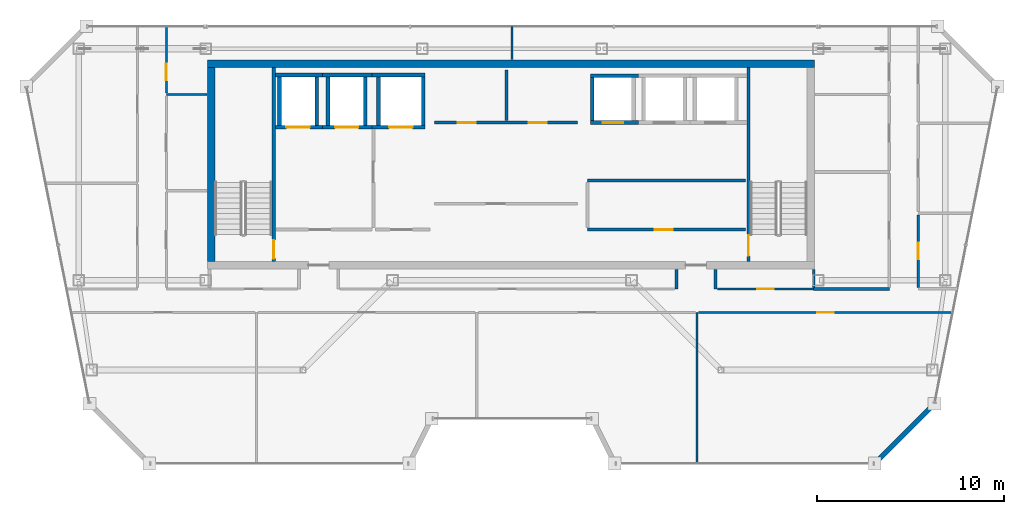
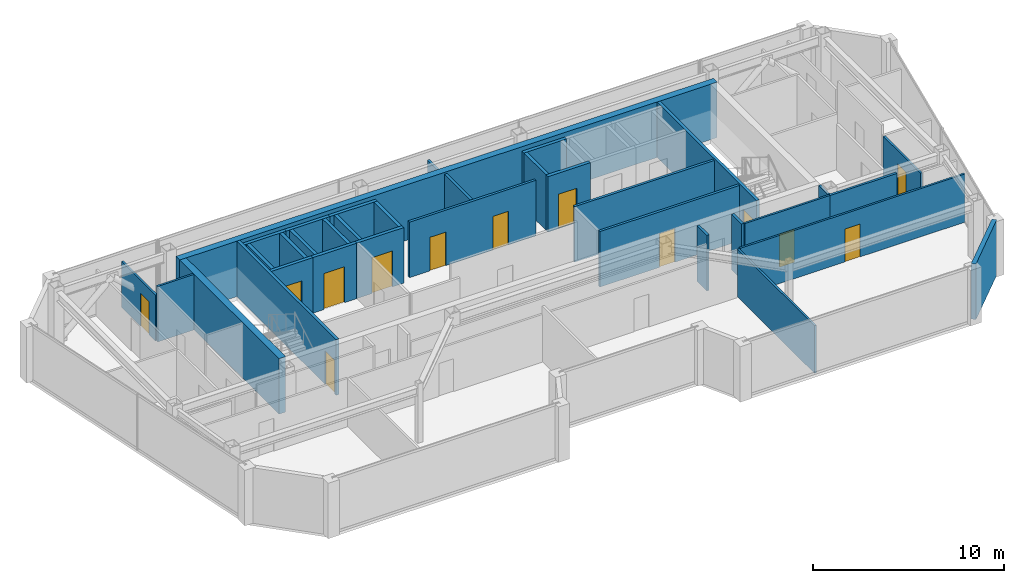
# One storey, part 19 of 23: 35 walls, 13 doors, 13 openings.
"""IFC4 building model written with IfcOpenShell, lengths in metres."""

from ifc_helpers import new_model, si_unit, direction, frame, frame_2d, origin, place, context, subcontext, project, spatial, rectangle, extrude, material, layer, layer_set, type_object, element, fill, save


model = new_model("IFC4")

# Units and contexts
model_context = context("Model", 3, precision=1e-05, world=origin(), true_north=direction((0.0, 1.0)))
body_context = subcontext(model_context, "Body", "Model", "MODEL_VIEW")
ifc_project = project(units=[si_unit("LENGTHUNIT", "METRE"), si_unit("AREAUNIT", "SQUARE_METRE"), si_unit("VOLUMEUNIT", "CUBIC_METRE"), si_unit("PLANEANGLEUNIT", "RADIAN"), si_unit("MASSUNIT", "GRAM", prefix="KILO")], contexts=[model_context])

# Site, building, storey
site_placement = place(None, origin())
site = spatial("IfcSite", under=ifc_project, at=site_placement, CompositionType="ELEMENT")
building_placement = place(site_placement, origin())
building = spatial("IfcBuilding", under=site, at=building_placement, Name="Saevonmaru Cultural Tower", CompositionType="ELEMENT")
storey_placement = place(building_placement, frame((0.0, 0.0, 302.800048828125)))
storey = spatial("IfcBuildingStorey", under=building, at=storey_placement, Name="L72", CompositionType="ELEMENT", Elevation=302.800048828125)

# Walls
ifc_material_1 = material(Name="Concrete C50/60", Category="concrete")
ifc_layer_1 = layer(ifc_material_1, 0.39990234375, Name="Concrete C50/60")
ifc_layer_set_1 = layer_set([ifc_layer_1], Name="Concrete C50/60")
wall_type_1 = type_object("IfcWallType", Name="WL-CORE-400", PredefinedType="SHEAR", material=ifc_layer_set_1)
wall_1_placement = place(storey_placement, frame((13.699951171875, 54.0, 0.0), z_axis=(0.0, 0.0, 1.0), x_axis=(1.0, 0.0, 0.0)))
element("IfcWall", 1, at=wall_1_placement, inside=storey, type_object=wall_type_1, Name="L72 Tower RC core shear wall N", PredefinedType="SHEAR", context=body_context, shape_type="SweptSolid", body=[
    extrude(rectangle(XDim=32.5, YDim=0.39990234375, at=frame_2d((16.25, 0.0))), origin(), (0.0, 0.0, 1.0), 3.550048828125),
])
wall_2_placement = place(storey_placement, frame((13.89990234375, 43.39990234375, 0.0), z_axis=(0.0, 0.0, 1.0), x_axis=(0.0, 1.0, 0.0)))
element("IfcWall", 2, at=wall_2_placement, inside=storey, type_object=wall_type_1, Name="L72 Tower RC core shear wall W", PredefinedType="SHEAR", context=body_context, shape_type="SweptSolid", body=[
    extrude(rectangle(XDim=10.400146484375, YDim=0.39990234375, at=frame_2d((5.2001953125, 0.0))), origin(), (0.0, 0.0, 1.0), 3.550048828125),
])

# Wall, opening, door
ifc_material_2 = material(Name="Gypsum Fireboard Partition", Category="gypsum")
ifc_layer_2 = layer(ifc_material_2, 0.14990234375, Name="Gypsum Fireboard Partition")
ifc_layer_set_2 = layer_set([ifc_layer_2], Name="Gypsum Fireboard Partition")
wall_type_2 = type_object("IfcWallType", Name="WL-CORE-PART-150", PredefinedType="PARTITIONING", material=ifc_layer_set_2)
wall_3_placement = place(storey_placement, frame((34.050048828125, 45.1201171875, 0.0), z_axis=(0.0, 0.0, 1.0), x_axis=(1.0, 0.0, 0.0)))
wall_3 = element("IfcWall", 3, at=wall_3_placement, inside=storey, type_object=wall_type_2, Name="L72 Core Service South Wall", PredefinedType="PARTITIONING", context=body_context, shape_type="SweptSolid", body=[
    extrude(rectangle(XDim=8.449951171875, YDim=0.14990234375, at=frame_2d((4.22509765625, 0.0))), origin(), (0.0, 0.0, 1.0), 3.550048828125),
])
opening_1_placement = place(wall_3_placement, frame((3.60009765625, 0.0, 0.0)))
opening_1 = element("IfcOpeningElement", 4, at=opening_1_placement, cuts=wall_3, Name="Opening FD-4", PredefinedType="OPENING", context=body_context, shape_type="SweptSolid", body=[
    extrude(rectangle(XDim=0.949951171875, YDim=2.14990234375, at=frame_2d((0.47509765625, 1.074951171875))), frame((0.0, 0.0849609375, 0.0), z_axis=(0.0, -1.0, 0.0), x_axis=(1.0, 0.0, 0.0)), (0.0, 0.0, 1.0), 0.169921875),
])
ifc_material_3 = material(Name="Satin Bronze Anodised Aluminium", Category="aluminium")
door_type_1 = type_object("IfcDoorType", Name="DR-FD60-950", OperationType="SINGLE_SWING_LEFT", PredefinedType="DOOR", material=ifc_material_3)
door_1_placement = place(opening_1_placement, origin())
door_1 = element("IfcDoor", 5, at=door_1_placement, inside=storey, type_object=door_type_1, Name="L72 Telecom Riser Plant Door", OperationType="SINGLE_SWING_LEFT", OverallHeight=2.14990234375, OverallWidth=0.949951171875, PredefinedType="DOOR", context=body_context, shape_type="SweptSolid", body=[
    extrude(rectangle(XDim=0.949951171875, YDim=2.14990234375, at=frame_2d((0.47509765625, 1.074951171875))), frame((0.0, 0.02490234375, 0.0), z_axis=(0.0, -1.0, 0.0), x_axis=(1.0, 0.0, 0.0)), (0.0, 0.0, 1.0), 0.050048828125),
])
fill(opening_1, door_1)

# Wall
wall_4_placement = place(storey_placement, frame((34.050048828125, 47.75, 0.0), z_axis=(0.0, 0.0, 1.0), x_axis=(1.0, 0.0, 0.0)))
element("IfcWall", 6, at=wall_4_placement, inside=storey, type_object=wall_type_2, Name="L72 Core Service North Wall", PredefinedType="PARTITIONING", context=body_context, shape_type="SweptSolid", body=[
    extrude(rectangle(XDim=8.449951171875, YDim=0.14990234375, at=frame_2d((4.22509765625, 0.0))), origin(), (0.0, 0.0, 1.0), 3.550048828125),
])

# Wall, openings, doors
wall_5_placement = place(storey_placement, frame((25.85009765625, 50.85009765625, 0.0), z_axis=(0.0, 0.0, 1.0), x_axis=(1.0, 0.0, 0.0)))
wall_5 = element("IfcWall", 7, at=wall_5_placement, inside=storey, type_object=wall_type_2, Name="L72 Reclaimed Core Room South Wall", PredefinedType="PARTITIONING", context=body_context, shape_type="SweptSolid", body=[
    extrude(rectangle(XDim=7.64990234375, YDim=0.14990234375, at=frame_2d((3.824951171875, 0.0))), origin(), (0.0, 0.0, 1.0), 3.550048828125),
])
opening_2_placement = place(wall_5_placement, frame((1.25, 0.0, 0.0)))
opening_2 = element("IfcOpeningElement", 8, at=opening_2_placement, cuts=wall_5, Name="Opening FD-4", PredefinedType="OPENING", context=body_context, shape_type="SweptSolid", body=[
    extrude(rectangle(XDim=0.949951171875, YDim=2.14990234375, at=frame_2d((0.47509765625, 1.074951171875))), frame((0.0, 0.0849609375, 0.0), z_axis=(0.0, -1.0, 0.0), x_axis=(1.0, 0.0, 0.0)), (0.0, 0.0, 1.0), 0.169921875),
])
opening_3_placement = place(wall_5_placement, frame((5.050048828125, 0.0, 0.0)))
opening_3 = element("IfcOpeningElement", 9, at=opening_3_placement, cuts=wall_5, Name="Opening FD-4", PredefinedType="OPENING", context=body_context, shape_type="SweptSolid", body=[
    extrude(rectangle(XDim=0.949951171875, YDim=2.14990234375, at=frame_2d((0.47509765625, 1.074951171875))), frame((0.0, 0.0849609375, 0.0), z_axis=(0.0, -1.0, 0.0), x_axis=(1.0, 0.0, 0.0)), (0.0, 0.0, 1.0), 0.169921875),
])
door_2_placement = place(opening_2_placement, origin())
door_2 = element("IfcDoor", 10, at=door_2_placement, inside=storey, type_object=door_type_1, Name="L72 Reclaimed Archive Vault Door", OperationType="SINGLE_SWING_LEFT", OverallHeight=2.14990234375, OverallWidth=0.949951171875, PredefinedType="DOOR", context=body_context, shape_type="SweptSolid", body=[
    extrude(rectangle(XDim=0.949951171875, YDim=2.14990234375, at=frame_2d((0.47509765625, 1.074951171875))), frame((0.0, 0.02490234375, 0.0), z_axis=(0.0, -1.0, 0.0), x_axis=(1.0, 0.0, 0.0)), (0.0, 0.0, 1.0), 0.050048828125),
])
fill(opening_2, door_2)
door_3_placement = place(opening_3_placement, origin())
door_3 = element("IfcDoor", 11, at=door_3_placement, inside=storey, type_object=door_type_1, Name="L72 Reclaimed Conservation Storage Door", OperationType="SINGLE_SWING_LEFT", OverallHeight=2.14990234375, OverallWidth=0.949951171875, PredefinedType="DOOR", context=body_context, shape_type="SweptSolid", body=[
    extrude(rectangle(XDim=0.949951171875, YDim=2.14990234375, at=frame_2d((0.47509765625, 1.074951171875))), frame((0.0, 0.02490234375, 0.0), z_axis=(0.0, -1.0, 0.0), x_axis=(1.0, 0.0, 0.0)), (0.0, 0.0, 1.0), 0.050048828125),
])
fill(opening_3, door_3)

# Walls
wall_6_placement = place(storey_placement, frame((29.699951171875, 50.949951171875, 0.0), z_axis=(0.0, 0.0, 1.0), x_axis=(0.0, 1.0, 0.0)))
element("IfcWall", 12, at=wall_6_placement, inside=storey, type_object=wall_type_2, Name="L72 Reclaimed Vault Split", PredefinedType="PARTITIONING", context=body_context, shape_type="SweptSolid", body=[
    extrude(rectangle(XDim=2.699951171875, YDim=0.14990234375, at=frame_2d((1.35009765625, 0.0))), origin(), (0.0, 0.0, 1.0), 3.550048828125),
])
ifc_material_4 = material(Name="Granite-Clad Precast Concrete C40/50", Category="masonry")
ifc_layer_3 = layer(ifc_material_4, 0.260009765625, Name="Granite-Clad Precast Concrete C40/50")
ifc_layer_set_3 = layer_set([ifc_layer_3], Name="Granite-Clad Precast Concrete C40/50")
wall_type_3 = type_object("IfcWallType", Name="WL-EXT-SPANDREL-260", PredefinedType="STANDARD", material=ifc_layer_set_3)
wall_7_placement = place(storey_placement, frame((49.533203125, 32.713134765625, 0.0), z_axis=(0.0, 0.0, 1.0), x_axis=(0.70707775441, 0.707135806771, 0.0)))
element("IfcWall", 13, at=wall_7_placement, inside=storey, type_object=wall_type_3, Name="L72 Chamfer Corner Spandrel Wall E7", PredefinedType="STANDARD", context=body_context, shape_type="SweptSolid", body=[
    extrude(rectangle(XDim=4.20556640625, YDim=0.260009765625, at=frame_2d((2.102783203125, 0.0))), origin(), (0.0, 0.0, 1.0), 3.550048828125),
])
ifc_layer_4 = layer(ifc_material_2, 0.14990234375, Name="Gypsum Fireboard Partition")
ifc_layer_set_4 = layer_set([ifc_layer_4], Name="Gypsum Fireboard Partition")
wall_type_4 = type_object("IfcWallType", Name="WL-PART-FIRE-150", PredefinedType="PARTITIONING", material=ifc_layer_set_4)
for number, where, z_axis, x_axis, name in (
    (14, (38.800048828125, 41.93994140625, 0.0), (0.0, 0.0, 1.0), (0.0, 1.0, 0.0), "L72 Core Portal Side Wall E1"),
    (15, (40.89990234375, 41.93994140625, 0.0), (0.0, 0.0, 1.0), (0.0, 1.0, 0.0), "L72 Core Portal Side Wall E2"),
):
    element("IfcWall", number, at=place(storey_placement, frame(where, z_axis=z_axis, x_axis=x_axis)), inside=storey, type_object=wall_type_4, Name=name, PredefinedType="PARTITIONING", context=body_context, shape_type="SweptSolid", body=[
        extrude(rectangle(XDim=1.0400390625, YDim=0.14990234375, at=frame_2d((0.52001953125, 0.0))), origin(), (0.0, 0.0, 1.0), 3.550048828125),
    ])
ifc_layer_5 = layer(ifc_material_2, 0.1201171875, Name="Gypsum Fireboard Partition")
ifc_layer_set_5 = layer_set([ifc_layer_5], Name="Gypsum Fireboard Partition")
wall_type_5 = type_object("IfcWallType", Name="WL-PART-GYP-120", PredefinedType="PARTITIONING", material=ifc_layer_set_5)
wall_8_placement = place(storey_placement, frame((11.5, 52.35009765625, 0.0), z_axis=(0.0, 0.0, 1.0), x_axis=(1.0, 0.0, 0.0)))
element("IfcWall", 16, at=wall_8_placement, inside=storey, type_object=wall_type_5, Name="L72 North-West Panorama South Wall", PredefinedType="PARTITIONING", context=body_context, shape_type="SweptSolid", body=[
    extrude(rectangle(XDim=2.179931640625, YDim=0.1201171875, at=frame_2d((1.08984375, 0.0))), origin(), (0.0, 0.0, 1.0), 3.550048828125),
])
wall_9_placement = place(storey_placement, frame((30.0, 54.219970703125, 0.0), z_axis=(0.0, 0.0, 1.0), x_axis=(0.0, 1.0, 0.0)))
element("IfcWall", 17, at=wall_9_placement, inside=storey, type_object=wall_type_5, Name="L72 North Panorama Center Split", PredefinedType="PARTITIONING", context=body_context, shape_type="SweptSolid", body=[
    extrude(rectangle(XDim=1.775146484375, YDim=0.1201171875, at=frame_2d((0.8876953125, 0.0))), origin(), (0.0, 0.0, 1.0), 2.93505859375),
])

# Wall, opening, door
wall_10_placement = place(storey_placement, frame((11.5, 52.429931640625, 0.0), z_axis=(0.0, 0.0, 1.0), x_axis=(0.0, 1.0, 0.0)))
wall_10 = element("IfcWall", 18, at=wall_10_placement, inside=storey, type_object=wall_type_5, Name="L72 Literature Seminar Meeting Room Corridor Wall", PredefinedType="PARTITIONING", context=body_context, shape_type="SweptSolid", body=[
    extrude(rectangle(XDim=3.565185546875, YDim=0.1201171875, at=frame_2d((1.78271484375, 0.0))), origin(), (0.0, 0.0, 1.0), 2.93505859375),
])
opening_4_placement = place(wall_10_placement, frame((0.672119140625, 0.0, 0.0)))
opening_4 = element("IfcOpeningElement", 19, at=opening_4_placement, cuts=wall_10, Name="Opening ID-2", PredefinedType="OPENING", context=body_context, shape_type="SweptSolid", body=[
    extrude(rectangle(XDim=0.89990234375, YDim=2.10009765625, at=frame_2d((0.449951171875, 1.050048828125))), frame((0.0, 0.070068359375, 0.0), z_axis=(0.0, -1.0, 0.0), x_axis=(1.0, 0.0, 0.0)), (0.0, 0.0, 1.0), 0.14013671875),
])
ifc_material_5 = material(Name="Acoustic Stained Oak Timber", Category="wood")
door_type_2 = type_object("IfcDoorType", Name="DR-INT-900", OperationType="SINGLE_SWING_RIGHT", PredefinedType="DOOR", material=ifc_material_5)
door_4_placement = place(opening_4_placement, origin())
door_4 = element("IfcDoor", 20, at=door_4_placement, inside=storey, type_object=door_type_2, Name="L72 Literature Seminar Meeting Room Door", OperationType="SINGLE_SWING_LEFT", OverallHeight=2.10009765625, OverallWidth=0.89990234375, PredefinedType="DOOR", context=body_context, shape_type="SweptSolid", body=[
    extrude(rectangle(XDim=0.89990234375, YDim=2.10009765625, at=frame_2d((0.449951171875, 1.050048828125))), frame((0.0, 0.02490234375, 0.0), z_axis=(0.0, -1.0, 0.0), x_axis=(1.0, 0.0, 0.0)), (0.0, 0.0, 1.0), 0.050048828125),
])
fill(opening_4, door_4)

wall_11_placement = place(storey_placement, frame((51.75, 42.027587890625, 0.0), z_axis=(0.0, 0.0, 1.0), x_axis=(0.0, 1.0, 0.0)))
wall_11 = element("IfcWall", 21, at=wall_11_placement, inside=storey, type_object=wall_type_5, Name="L72 Urban Design Meeting Room Corridor Wall", PredefinedType="PARTITIONING", context=body_context, shape_type="SweptSolid", body=[
    extrude(rectangle(XDim=3.885009765625, YDim=0.1201171875, at=frame_2d((1.9423828125, 0.0))), origin(), (0.0, 0.0, 1.0), 2.947021484375),
])
opening_5_placement = place(wall_11_placement, frame((1.491943359375, 0.0, 0.0)))
opening_5 = element("IfcOpeningElement", 22, at=opening_5_placement, cuts=wall_11, Name="Opening ID-2", PredefinedType="OPENING", context=body_context, shape_type="SweptSolid", body=[
    extrude(rectangle(XDim=0.89990234375, YDim=2.10009765625, at=frame_2d((0.449951171875, 1.050048828125))), frame((0.0, 0.070068359375, 0.0), z_axis=(0.0, -1.0, 0.0), x_axis=(1.0, 0.0, 0.0)), (0.0, 0.0, 1.0), 0.14013671875),
])
door_5_placement = place(opening_5_placement, origin())
door_5 = element("IfcDoor", 23, at=door_5_placement, inside=storey, type_object=door_type_2, Name="L72 Urban Design Meeting Room Door", OperationType="SINGLE_SWING_RIGHT", OverallHeight=2.10009765625, OverallWidth=0.89990234375, PredefinedType="DOOR", context=body_context, shape_type="SweptSolid", body=[
    extrude(rectangle(XDim=0.89990234375, YDim=2.10009765625, at=frame_2d((0.449951171875, 1.050048828125))), frame((0.0, 0.02490234375, 0.0), z_axis=(0.0, -1.0, 0.0), x_axis=(1.0, 0.0, 0.0)), (0.0, 0.0, 1.0), 0.050048828125),
])
fill(opening_5, door_5)

wall_12_placement = place(storey_placement, frame((40.9951171875, 41.93994140625, 0.0), z_axis=(0.0, 0.0, 1.0), x_axis=(1.0, 0.0, 0.0)))
wall_12 = element("IfcWall", 24, at=wall_12_placement, inside=storey, type_object=wall_type_5, Name="L72 Literature Seminar Meeting Room Corridor Wall", PredefinedType="PARTITIONING", context=body_context, shape_type="SweptSolid", body=[
    extrude(rectangle(XDim=5.15478515625, YDim=0.1201171875, at=frame_2d((2.577392578125, 0.0))), origin(), (0.0, 0.0, 1.0), 3.550048828125),
])
opening_6_placement = place(wall_12_placement, frame((2.1279296875, 0.0, 0.0)))
opening_6 = element("IfcOpeningElement", 25, at=opening_6_placement, cuts=wall_12, Name="Opening ID-2", PredefinedType="OPENING", context=body_context, shape_type="SweptSolid", body=[
    extrude(rectangle(XDim=0.89990234375, YDim=2.10009765625, at=frame_2d((0.449951171875, 1.050048828125))), frame((0.0, 0.070068359375, 0.0), z_axis=(0.0, -1.0, 0.0), x_axis=(1.0, 0.0, 0.0)), (0.0, 0.0, 1.0), 0.14013671875),
])
door_6_placement = place(opening_6_placement, origin())
door_6 = element("IfcDoor", 26, at=door_6_placement, inside=storey, type_object=door_type_2, Name="L72 Literature Seminar Meeting Room Door", OperationType="SINGLE_SWING_LEFT", OverallHeight=2.10009765625, OverallWidth=0.89990234375, PredefinedType="DOOR", context=body_context, shape_type="SweptSolid", body=[
    extrude(rectangle(XDim=0.89990234375, YDim=2.10009765625, at=frame_2d((0.449951171875, 1.050048828125))), frame((0.0, 0.02490234375, 0.0), z_axis=(0.0, -1.0, 0.0), x_axis=(1.0, 0.0, 0.0)), (0.0, 0.0, 1.0), 0.050048828125),
])
fill(opening_6, door_6)

# Wall
wall_13_placement = place(storey_placement, frame((39.909912109375, 32.60498046875, 0.0), z_axis=(0.0, 0.0, 1.0), x_axis=(0.0, 1.0, 0.0)))
element("IfcWall", 27, at=wall_13_placement, inside=storey, type_object=wall_type_5, Name="L72 Observatory Bay Divider 3", PredefinedType="PARTITIONING", context=body_context, shape_type="SweptSolid", body=[
    extrude(rectangle(XDim=8.074951171875, YDim=0.1201171875, at=frame_2d((4.03759765625, 0.0))), origin(), (0.0, 0.0, 1.0), 3.046875),
])

# Wall, opening, door
wall_14_placement = place(storey_placement, frame((39.989990234375, 40.679931640625, 0.0), z_axis=(0.0, 0.0, 1.0), x_axis=(1.0, 0.0, 0.0)))
wall_14 = element("IfcWall", 28, at=wall_14_placement, inside=storey, type_object=wall_type_5, Name="L72 Urban Design Meeting Room Corridor Wall", PredefinedType="PARTITIONING", context=body_context, shape_type="SweptSolid", body=[
    extrude(rectangle(XDim=13.59521484375, YDim=0.1201171875, at=frame_2d((6.797607421875, 0.0))), origin(), (0.0, 0.0, 1.0), 3.0849609375),
])
opening_7_placement = place(wall_14_placement, frame((6.347900390625, 0.0, 0.0)))
opening_7 = element("IfcOpeningElement", 29, at=opening_7_placement, cuts=wall_14, Name="Opening ID-2", PredefinedType="OPENING", context=body_context, shape_type="SweptSolid", body=[
    extrude(rectangle(XDim=0.89990234375, YDim=2.10009765625, at=frame_2d((0.449951171875, 1.050048828125))), frame((0.0, 0.070068359375, 0.0), z_axis=(0.0, -1.0, 0.0), x_axis=(1.0, 0.0, 0.0)), (0.0, 0.0, 1.0), 0.14013671875),
])
door_7_placement = place(opening_7_placement, origin())
door_7 = element("IfcDoor", 30, at=door_7_placement, inside=storey, type_object=door_type_2, Name="L72 Urban Design Meeting Room Door", OperationType="SINGLE_SWING_LEFT", OverallHeight=2.10009765625, OverallWidth=0.89990234375, PredefinedType="DOOR", context=body_context, shape_type="SweptSolid", body=[
    extrude(rectangle(XDim=0.89990234375, YDim=2.10009765625, at=frame_2d((0.449951171875, 1.050048828125))), frame((0.0, 0.02490234375, 0.0), z_axis=(0.0, -1.0, 0.0), x_axis=(1.0, 0.0, 0.0)), (0.0, 0.0, 1.0), 0.050048828125),
])
fill(opening_7, door_7)

# Walls
ifc_layer_6 = layer(ifc_material_2, 0.139892578125, Name="Gypsum Fireboard Partition")
ifc_layer_set_6 = layer_set([ifc_layer_6], Name="Gypsum Fireboard Partition")
wall_type_6 = type_object("IfcWallType", Name="WL-PART-WET-140", PredefinedType="PARTITIONING", material=ifc_layer_set_6)
wall_15_placement = place(storey_placement, frame((46.14990234375, 41.93994140625, 0.0), z_axis=(0.0, 0.0, 1.0), x_axis=(1.0, 0.0, 0.0)))
element("IfcWall", 31, at=wall_15_placement, inside=storey, type_object=wall_type_6, Name="L72 Washroom South Wall", PredefinedType="PARTITIONING", context=body_context, shape_type="SweptSolid", body=[
    extrude(rectangle(XDim=4.050048828125, YDim=0.139892578125, at=frame_2d((2.02490234375, 0.0))), origin(), (0.0, 0.0, 1.0), 3.550048828125),
])
wall_16_placement = place(storey_placement, frame((46.14990234375, 42.030029296875, 0.0), z_axis=(0.0, 0.0, 1.0), x_axis=(0.0, 1.0, 0.0)))
element("IfcWall", 32, at=wall_16_placement, inside=storey, type_object=wall_type_6, Name="L72 Washroom South-West Return", PredefinedType="PARTITIONING", context=body_context, shape_type="SweptSolid", body=[
    extrude(rectangle(XDim=0.949951171875, YDim=0.139892578125, at=frame_2d((0.47509765625, 0.0))), origin(), (0.0, 0.0, 1.0), 3.550048828125),
])

# Wall, opening, door
ifc_material_6 = material(Name="Concrete C40/50", Category="concrete")
ifc_layer_7 = layer(ifc_material_6, 0.199951171875, Name="Concrete C40/50")
ifc_layer_set_7 = layer_set([ifc_layer_7], Name="Concrete C40/50")
wall_type_7 = type_object("IfcWallType", Name="WL-SHAFT-200", PredefinedType="SHEAR", material=ifc_layer_set_7)
wall_17_placement = place(storey_placement, frame((17.330078125, 50.60009765625, 0.0), z_axis=(0.0, 0.0, 1.0), x_axis=(1.0, 0.0, 0.0)))
wall_17 = element("IfcWall", 33, at=wall_17_placement, inside=storey, type_object=wall_type_7, Name="L72 Lift FFL-1 Hoistway Wall S", PredefinedType="SHEAR", context=body_context, shape_type="SweptSolid", body=[
    extrude(rectangle(XDim=2.52001953125, YDim=0.199951171875, at=frame_2d((1.260009765625, 0.0))), origin(), (0.0, 0.0, 1.0), 3.550048828125),
])
opening_8_placement = place(wall_17_placement, frame((0.594970703125, 0.0, 0.0)))
opening_8 = element("IfcOpeningElement", 34, at=opening_8_placement, cuts=wall_17, Name="Opening LD-2", PredefinedType="OPENING", context=body_context, shape_type="SweptSolid", body=[
    extrude(rectangle(XDim=1.25, YDim=2.300048828125, at=frame_2d((0.625, 1.14990234375))), frame((0.0, 0.10986328125, 0.0), z_axis=(0.0, -1.0, 0.0), x_axis=(1.0, 0.0, 0.0)), (0.0, 0.0, 1.0), 0.219970703125),
])
ifc_material_7 = material(Name="Stainless Steel 316", Category="steel")
door_type_3 = type_object("IfcDoorType", Name="DR-LIFT-1250", OperationType="SLIDING_TO_LEFT", PredefinedType="DOOR", material=ifc_material_7)
door_8_placement = place(opening_8_placement, origin())
door_8 = element("IfcDoor", 35, at=door_8_placement, inside=storey, type_object=door_type_3, Name="L72 Lift FFL-1 Sliding Landing Door", OperationType="SLIDING_TO_LEFT", OverallHeight=2.300048828125, OverallWidth=1.25, PredefinedType="DOOR", context=body_context, shape_type="SweptSolid", body=[
    extrude(rectangle(XDim=1.25, YDim=2.300048828125, at=frame_2d((0.625, 1.14990234375))), frame((0.0, 0.02490234375, 0.0), z_axis=(0.0, -1.0, 0.0), x_axis=(1.0, 0.0, 0.0)), (0.0, 0.0, 1.0), 0.050048828125),
])
fill(opening_8, door_8)

# Walls
wall_18_placement = place(storey_placement, frame((17.330078125, 53.39990234375, 0.0), z_axis=(0.0, 0.0, 1.0), x_axis=(1.0, 0.0, 0.0)))
element("IfcWall", 36, at=wall_18_placement, inside=storey, type_object=wall_type_7, Name="L72 Lift FFL-1 Hoistway Wall N", PredefinedType="SHEAR", context=body_context, shape_type="SweptSolid", body=[
    extrude(rectangle(XDim=2.52001953125, YDim=0.199951171875, at=frame_2d((1.260009765625, 0.0))), origin(), (0.0, 0.0, 1.0), 3.550048828125),
])
for number, where, z_axis, x_axis, name in (
    (37, (17.550048828125, 50.699951171875, 0.0), (0.0, 0.0, 1.0), (0.0, 1.0, 0.0), "L72 Lift FFL-1 Hoistway Wall W"),
    (38, (19.550048828125, 50.699951171875, 0.0), (0.0, 0.0, 1.0), (0.0, 1.0, 0.0), "L72 Lift FFL-1 Hoistway Wall E"),
):
    element("IfcWall", number, at=place(storey_placement, frame(where, z_axis=z_axis, x_axis=x_axis)), inside=storey, type_object=wall_type_7, Name=name, PredefinedType="SHEAR", context=body_context, shape_type="SweptSolid", body=[
        extrude(rectangle(XDim=2.60009765625, YDim=0.199951171875, at=frame_2d((1.300048828125, 0.0))), origin(), (0.0, 0.0, 1.0), 3.550048828125),
    ])

# Wall, opening, door
wall_19_placement = place(storey_placement, frame((19.85009765625, 50.60009765625, 0.0), z_axis=(0.0, 0.0, 1.0), x_axis=(1.0, 0.0, 0.0)))
wall_19 = element("IfcWall", 39, at=wall_19_placement, inside=storey, type_object=wall_type_7, Name="L72 Lift FFL-2 Hoistway Wall S", PredefinedType="SHEAR", context=body_context, shape_type="SweptSolid", body=[
    extrude(rectangle(XDim=2.64990234375, YDim=0.199951171875, at=frame_2d((1.324951171875, 0.0))), origin(), (0.0, 0.0, 1.0), 3.550048828125),
])
opening_9_placement = place(wall_19_placement, frame((0.675048828125, 0.0, 0.0)))
opening_9 = element("IfcOpeningElement", 40, at=opening_9_placement, cuts=wall_19, Name="Opening LD-2", PredefinedType="OPENING", context=body_context, shape_type="SweptSolid", body=[
    extrude(rectangle(XDim=1.25, YDim=2.300048828125, at=frame_2d((0.625, 1.14990234375))), frame((0.0, 0.10986328125, 0.0), z_axis=(0.0, -1.0, 0.0), x_axis=(1.0, 0.0, 0.0)), (0.0, 0.0, 1.0), 0.219970703125),
])
door_9_placement = place(opening_9_placement, origin())
door_9 = element("IfcDoor", 41, at=door_9_placement, inside=storey, type_object=door_type_3, Name="L72 Lift FFL-2 Sliding Landing Door", OperationType="SLIDING_TO_LEFT", OverallHeight=2.300048828125, OverallWidth=1.25, PredefinedType="DOOR", context=body_context, shape_type="SweptSolid", body=[
    extrude(rectangle(XDim=1.25, YDim=2.300048828125, at=frame_2d((0.625, 1.14990234375))), frame((0.0, 0.02490234375, 0.0), z_axis=(0.0, -1.0, 0.0), x_axis=(1.0, 0.0, 0.0)), (0.0, 0.0, 1.0), 0.050048828125),
])
fill(opening_9, door_9)

# Walls
wall_20_placement = place(storey_placement, frame((19.85009765625, 53.39990234375, 0.0), z_axis=(0.0, 0.0, 1.0), x_axis=(1.0, 0.0, 0.0)))
element("IfcWall", 42, at=wall_20_placement, inside=storey, type_object=wall_type_7, Name="L72 Lift FFL-2 Hoistway Wall N", PredefinedType="SHEAR", context=body_context, shape_type="SweptSolid", body=[
    extrude(rectangle(XDim=2.64990234375, YDim=0.199951171875, at=frame_2d((1.324951171875, 0.0))), origin(), (0.0, 0.0, 1.0), 3.550048828125),
])
for number, where, z_axis, x_axis, name in (
    (43, (20.14990234375, 50.699951171875, 0.0), (0.0, 0.0, 1.0), (0.0, 1.0, 0.0), "L72 Lift FFL-2 Hoistway Wall W"),
    (44, (22.14990234375, 50.699951171875, 0.0), (0.0, 0.0, 1.0), (0.0, 1.0, 0.0), "L72 Lift FFL-2 Hoistway Wall E"),
):
    element("IfcWall", number, at=place(storey_placement, frame(where, z_axis=z_axis, x_axis=x_axis)), inside=storey, type_object=wall_type_7, Name=name, PredefinedType="SHEAR", context=body_context, shape_type="SweptSolid", body=[
        extrude(rectangle(XDim=2.60009765625, YDim=0.199951171875, at=frame_2d((1.300048828125, 0.0))), origin(), (0.0, 0.0, 1.0), 3.550048828125),
    ])

# Wall, opening, door
wall_21_placement = place(storey_placement, frame((22.5, 50.60009765625, 0.0), z_axis=(0.0, 0.0, 1.0), x_axis=(1.0, 0.0, 0.0)))
wall_21 = element("IfcWall", 45, at=wall_21_placement, inside=storey, type_object=wall_type_7, Name="L72 Lift GL-1 Hoistway Wall S", PredefinedType="SHEAR", context=body_context, shape_type="SweptSolid", body=[
    extrude(rectangle(XDim=2.85009765625, YDim=0.199951171875, at=frame_2d((1.425048828125, 0.0))), origin(), (0.0, 0.0, 1.0), 3.550048828125),
])
opening_10_placement = place(wall_21_placement, frame((0.925048828125, 0.0, 0.0)))
opening_10 = element("IfcOpeningElement", 46, at=opening_10_placement, cuts=wall_21, Name="Opening LD-2", PredefinedType="OPENING", context=body_context, shape_type="SweptSolid", body=[
    extrude(rectangle(XDim=1.25, YDim=2.300048828125, at=frame_2d((0.625, 1.14990234375))), frame((0.0, 0.10986328125, 0.0), z_axis=(0.0, -1.0, 0.0), x_axis=(1.0, 0.0, 0.0)), (0.0, 0.0, 1.0), 0.219970703125),
])
door_10_placement = place(opening_10_placement, origin())
door_10 = element("IfcDoor", 47, at=door_10_placement, inside=storey, type_object=door_type_3, Name="L72 Lift GL-1 Sliding Landing Door", OperationType="SLIDING_TO_LEFT", OverallHeight=2.300048828125, OverallWidth=1.25, PredefinedType="DOOR", context=body_context, shape_type="SweptSolid", body=[
    extrude(rectangle(XDim=1.25, YDim=2.300048828125, at=frame_2d((0.625, 1.14990234375))), frame((0.0, 0.02490234375, 0.0), z_axis=(0.0, -1.0, 0.0), x_axis=(1.0, 0.0, 0.0)), (0.0, 0.0, 1.0), 0.050048828125),
])
fill(opening_10, door_10)

# Walls
wall_22_placement = place(storey_placement, frame((22.5, 53.39990234375, 0.0), z_axis=(0.0, 0.0, 1.0), x_axis=(1.0, 0.0, 0.0)))
element("IfcWall", 48, at=wall_22_placement, inside=storey, type_object=wall_type_7, Name="L72 Lift GL-1 Hoistway Wall N", PredefinedType="SHEAR", context=body_context, shape_type="SweptSolid", body=[
    extrude(rectangle(XDim=2.85009765625, YDim=0.199951171875, at=frame_2d((1.425048828125, 0.0))), origin(), (0.0, 0.0, 1.0), 3.550048828125),
])
for number, where, z_axis, x_axis, name in (
    (49, (22.85009765625, 50.699951171875, 0.0), (0.0, 0.0, 1.0), (0.0, 1.0, 0.0), "L72 Lift GL-1 Hoistway Wall W"),
    (50, (25.25, 50.699951171875, 0.0), (0.0, 0.0, 1.0), (0.0, 1.0, 0.0), "L72 Lift GL-1 Hoistway Wall E"),
):
    element("IfcWall", number, at=place(storey_placement, frame(where, z_axis=z_axis, x_axis=x_axis)), inside=storey, type_object=wall_type_7, Name=name, PredefinedType="SHEAR", context=body_context, shape_type="SweptSolid", body=[
        extrude(rectangle(XDim=2.60009765625, YDim=0.199951171875, at=frame_2d((1.300048828125, 0.0))), origin(), (0.0, 0.0, 1.0), 3.550048828125),
    ])

# Wall, opening, door
wall_23_placement = place(storey_placement, frame((34.199951171875, 50.85009765625, 0.0), z_axis=(0.0, 0.0, 1.0), x_axis=(1.0, 0.0, 0.0)))
wall_23 = element("IfcWall", 51, at=wall_23_placement, inside=storey, type_object=wall_type_7, Name="L72 Lift PL-H1 Hoistway Wall S", PredefinedType="SHEAR", context=body_context, shape_type="SweptSolid", body=[
    extrude(rectangle(XDim=2.574951171875, YDim=0.199951171875, at=frame_2d((1.28759765625, 0.0))), origin(), (0.0, 0.0, 1.0), 3.550048828125),
])
opening_11_placement = place(wall_23_placement, frame((0.64990234375, 0.0, 0.0)))
opening_11 = element("IfcOpeningElement", 52, at=opening_11_placement, cuts=wall_23, Name="Opening LD-1", PredefinedType="OPENING", context=body_context, shape_type="SweptSolid", body=[
    extrude(rectangle(XDim=1.10009765625, YDim=2.199951171875, at=frame_2d((0.550048828125, 1.10009765625))), frame((0.0, 0.10986328125, 0.0), z_axis=(0.0, -1.0, 0.0), x_axis=(1.0, 0.0, 0.0)), (0.0, 0.0, 1.0), 0.219970703125),
])
ifc_material_8 = material(Name="Satin Bronze Stainless Steel", Category="steel")
door_type_4 = type_object("IfcDoorType", Name="DR-LIFT-1100", OperationType="SLIDING_TO_LEFT", PredefinedType="DOOR", material=ifc_material_8)
door_11_placement = place(opening_11_placement, origin())
door_11 = element("IfcDoor", 53, at=door_11_placement, inside=storey, type_object=door_type_4, Name="L72 Lift PL-H1 Sliding Landing Door", OperationType="SLIDING_TO_LEFT", OverallHeight=2.199951171875, OverallWidth=1.10009765625, PredefinedType="DOOR", context=body_context, shape_type="SweptSolid", body=[
    extrude(rectangle(XDim=1.10009765625, YDim=2.199951171875, at=frame_2d((0.550048828125, 1.10009765625))), frame((0.0, 0.02490234375, 0.0), z_axis=(0.0, -1.0, 0.0), x_axis=(1.0, 0.0, 0.0)), (0.0, 0.0, 1.0), 0.050048828125),
])
fill(opening_11, door_11)

# Walls
wall_24_placement = place(storey_placement, frame((34.199951171875, 53.35009765625, 0.0), z_axis=(0.0, 0.0, 1.0), x_axis=(1.0, 0.0, 0.0)))
element("IfcWall", 54, at=wall_24_placement, inside=storey, type_object=wall_type_7, Name="L72 Lift PL-H1 Hoistway Wall N", PredefinedType="SHEAR", context=body_context, shape_type="SweptSolid", body=[
    extrude(rectangle(XDim=2.574951171875, YDim=0.199951171875, at=frame_2d((1.28759765625, 0.0))), origin(), (0.0, 0.0, 1.0), 3.550048828125),
])
wall_25_placement = place(storey_placement, frame((34.300048828125, 50.949951171875, 0.0), z_axis=(0.0, 0.0, 1.0), x_axis=(0.0, 1.0, 0.0)))
element("IfcWall", 55, at=wall_25_placement, inside=storey, type_object=wall_type_7, Name="L72 Lift PL-H1 Hoistway Wall W", PredefinedType="SHEAR", context=body_context, shape_type="SweptSolid", body=[
    extrude(rectangle(XDim=2.300048828125, YDim=0.199951171875, at=frame_2d((1.14990234375, 0.0))), origin(), (0.0, 0.0, 1.0), 3.550048828125),
])

# Wall, opening, door
ifc_layer_8 = layer(ifc_material_6, 0.179931640625, Name="Concrete C40/50")
ifc_layer_set_8 = layer_set([ifc_layer_8], Name="Concrete C40/50")
wall_type_8 = type_object("IfcWallType", Name="WL-STSHAFT-180", PredefinedType="SHEAR", material=ifc_layer_set_8)
wall_26_placement = place(storey_placement, frame((17.239990234375, 43.39990234375, 0.0), z_axis=(0.0, 0.0, 1.0), x_axis=(0.0, 1.0, 0.0)))
wall_26 = element("IfcWall", 56, at=wall_26_placement, inside=storey, type_object=wall_type_8, Name="L72 Stair ST-1 Structural Shaft Wall 1", PredefinedType="SHEAR", context=body_context, shape_type="SweptSolid", body=[
    extrude(rectangle(XDim=10.400146484375, YDim=0.179931640625, at=frame_2d((5.2001953125, 0.0))), origin(), (0.0, 0.0, 1.0), 3.550048828125),
])
opening_12_placement = place(wall_26_placement, frame((0.159912109375, 0.0, 0.0)))
opening_12 = element("IfcOpeningElement", 57, at=opening_12_placement, cuts=wall_26, Name="Opening FD-3", PredefinedType="OPENING", context=body_context, shape_type="SweptSolid", body=[
    extrude(rectangle(XDim=1.0, YDim=2.14990234375, at=frame_2d((0.5, 1.074951171875))), frame((0.0, 0.10009765625, 0.0), z_axis=(0.0, -1.0, 0.0), x_axis=(1.0, 0.0, 0.0)), (0.0, 0.0, 1.0), 0.199951171875),
])
door_type_5 = type_object("IfcDoorType", Name="DR-FD60-1000", OperationType="SINGLE_SWING_RIGHT", PredefinedType="DOOR", material=ifc_material_3)
door_12_placement = place(opening_12_placement, origin())
door_12 = element("IfcDoor", 58, at=door_12_placement, inside=storey, type_object=door_type_5, Name="L72 Protected Stair ST-1 Fire Door", OperationType="SINGLE_SWING_RIGHT", OverallHeight=2.14990234375, OverallWidth=1.0, PredefinedType="DOOR", context=body_context, shape_type="SweptSolid", body=[
    extrude(rectangle(XDim=1.0, YDim=2.14990234375, at=frame_2d((0.5, 1.074951171875))), frame((0.0, 0.02490234375, 0.0), z_axis=(0.0, -1.0, 0.0), x_axis=(1.0, 0.0, 0.0)), (0.0, 0.0, 1.0), 0.050048828125),
])
fill(opening_12, door_12)

wall_27_placement = place(storey_placement, frame((42.659912109375, 53.800048828125, 0.0), z_axis=(0.0, 0.0, 1.0), x_axis=(0.0, -1.0, 0.0)))
wall_27 = element("IfcWall", 59, at=wall_27_placement, inside=storey, type_object=wall_type_8, Name="L72 Stair ST-2 Structural Shaft Wall 1", PredefinedType="SHEAR", context=body_context, shape_type="SweptSolid", body=[
    extrude(rectangle(XDim=10.400146484375, YDim=0.179931640625, at=frame_2d((5.2001953125, 0.0))), origin(), (0.0, 0.0, 1.0), 3.550048828125),
])
opening_13_placement = place(wall_27_placement, frame((8.989990234375, 0.0, 0.0)))
opening_13 = element("IfcOpeningElement", 60, at=opening_13_placement, cuts=wall_27, Name="Opening FD-2", PredefinedType="OPENING", context=body_context, shape_type="SweptSolid", body=[
    extrude(rectangle(XDim=1.10009765625, YDim=2.14990234375, at=frame_2d((0.550048828125, 1.074951171875))), frame((0.0, 0.10009765625, 0.0), z_axis=(0.0, -1.0, 0.0), x_axis=(1.0, 0.0, 0.0)), (0.0, 0.0, 1.0), 0.199951171875),
])
door_type_6 = type_object("IfcDoorType", Name="DR-FD60-1100", OperationType="SINGLE_SWING_LEFT", PredefinedType="DOOR", material=ifc_material_3)
door_13_placement = place(opening_13_placement, origin())
door_13 = element("IfcDoor", 61, at=door_13_placement, inside=storey, type_object=door_type_6, Name="L72 Protected Stair ST-2 Fire Door", OperationType="SINGLE_SWING_LEFT", OverallHeight=2.14990234375, OverallWidth=1.10009765625, PredefinedType="DOOR", context=body_context, shape_type="SweptSolid", body=[
    extrude(rectangle(XDim=1.10009765625, YDim=2.14990234375, at=frame_2d((0.550048828125, 1.074951171875))), frame((0.0, 0.02490234375, 0.0), z_axis=(0.0, -1.0, 0.0), x_axis=(1.0, 0.0, 0.0)), (0.0, 0.0, 1.0), 0.050048828125),
])
fill(opening_13, door_13)

save(model, "model.ifc")
